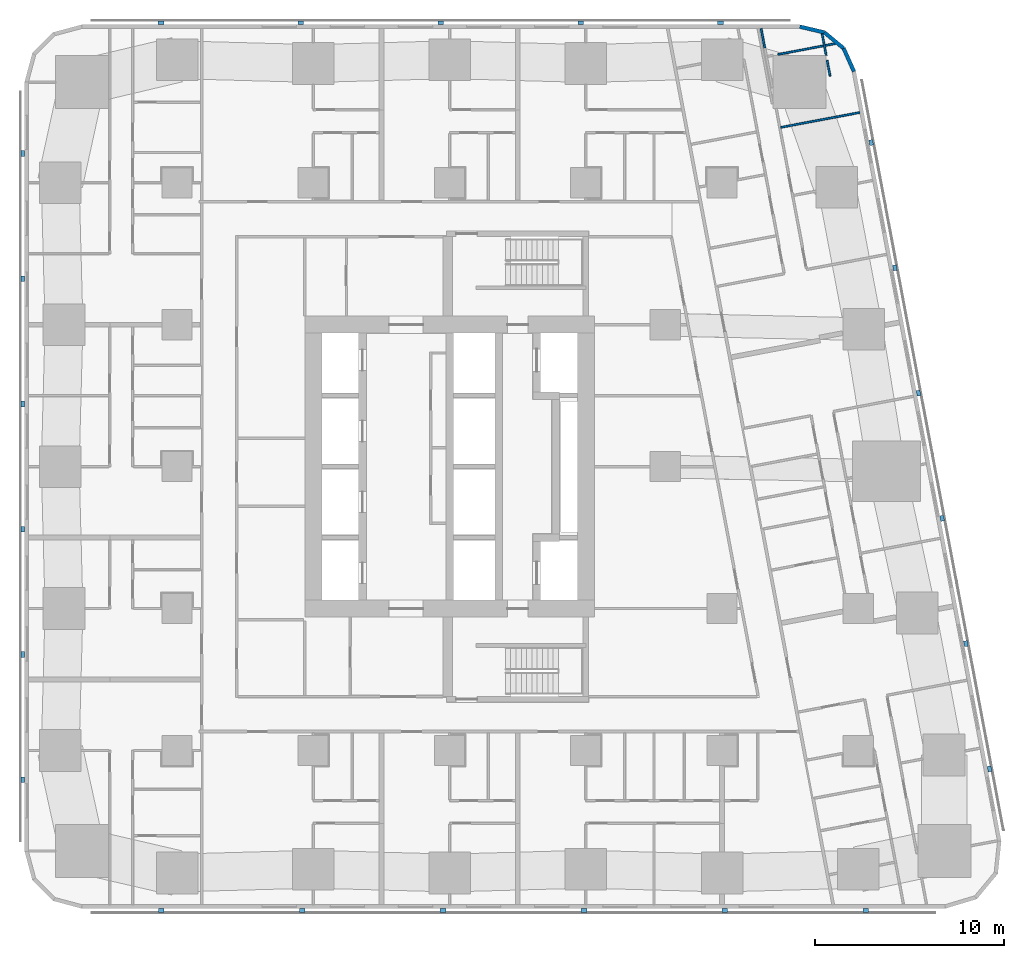
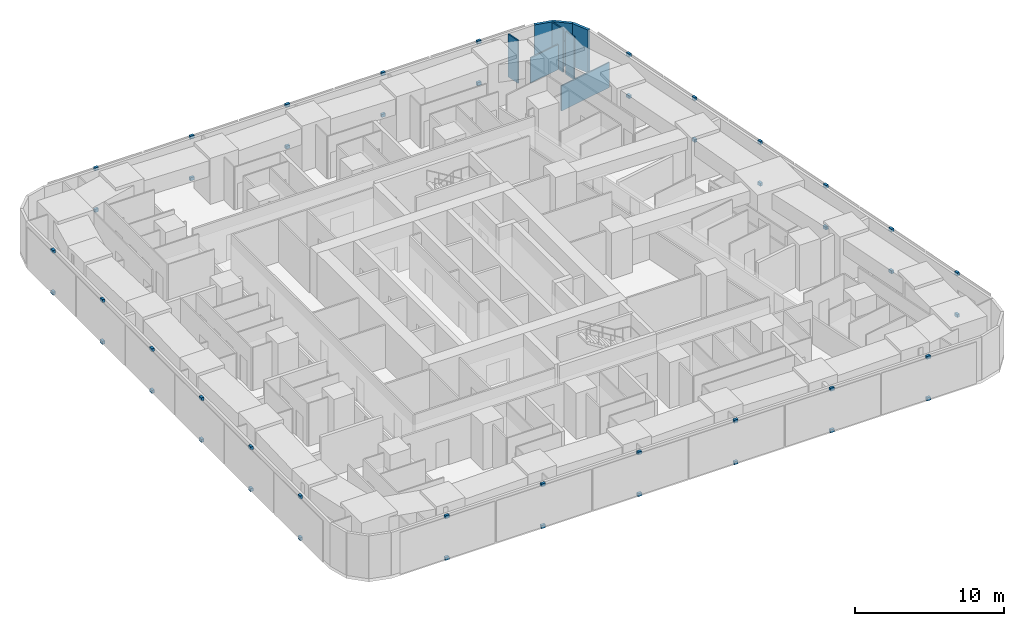
# One storey, part 12 of 16: 46 discrete accessories, 8 walls.
"""IFC4 building model written with IfcOpenShell, lengths in metres."""

from ifc_helpers import new_model, si_unit, direction, frame, frame_2d, origin, origin_2d, place, context, subcontext, project, spatial, rectangle, extrude, material, layer, layer_set, type_object, element, save


model = new_model("IFC4")

# Units and contexts
model_context = context("Model", 3, precision=1e-05, world=origin(), true_north=direction((0.0, 1.0)))
body_context = subcontext(model_context, "Body", "Model", "MODEL_VIEW")
ifc_project = project(units=[si_unit("LENGTHUNIT", "METRE"), si_unit("AREAUNIT", "SQUARE_METRE"), si_unit("VOLUMEUNIT", "CUBIC_METRE"), si_unit("PLANEANGLEUNIT", "RADIAN"), si_unit("MASSUNIT", "GRAM", prefix="KILO")], contexts=[model_context])

# Site, building, storey
site_placement = place(None, origin())
site = spatial("IfcSite", under=ifc_project, at=site_placement, CompositionType="ELEMENT")
building_placement = place(site_placement, origin())
building = spatial("IfcBuilding", under=site, at=building_placement, Name="Sheger Commons Tower", CompositionType="ELEMENT")
storey_placement = place(building_placement, frame((0.0, 0.0, 92.89990234375)))
storey = spatial("IfcBuildingStorey", under=building, at=storey_placement, Name="L23", CompositionType="ELEMENT", Elevation=92.89990234375)

# Walls
ifc_material_1 = material(Name="Rendered concrete block masonry, dark grey", Category="masonry")
ifc_layer_1 = layer(ifc_material_1, 0.199951171875)
ifc_layer_set_1 = layer_set([ifc_layer_1], Name="FACADE WALL 200")
wall_type_1 = type_object("IfcWallType", Name="FACADE WALL 200", PredefinedType="SOLIDWALL", material=ifc_layer_set_1)
wall_1_placement = place(storey_placement, frame((42.969970703125, 43.376953125, 0.0), z_axis=(0.0, 0.0, 1.0), x_axis=(-0.406002956633, 0.913871762998, 0.0)))
element("IfcWall", 1, at=wall_1_placement, inside=storey, type_object=wall_type_1, Name="Facade wall L23", PredefinedType="SOLIDWALL", context=body_context, shape_type="SweptSolid", body=[
    extrude(rectangle(XDim=1.33740234375, YDim=0.199951171875, at=frame_2d((0.668701171875, 0.0))), origin(), (0.0, 0.0, 1.0), 3.5),
])
wall_2_placement = place(storey_placement, frame((42.427001953125, 44.59912109375, 0.0), z_axis=(0.0, 0.0, 1.0), x_axis=(-0.770091412544, 0.637933551655, 0.0)))
element("IfcWall", 2, at=wall_2_placement, inside=storey, type_object=wall_type_1, Name="Facade wall L23", PredefinedType="SOLIDWALL", context=body_context, shape_type="SweptSolid", body=[
    extrude(rectangle(XDim=1.324462890625, YDim=0.199951171875, at=frame_2d((0.662109375, 0.0))), origin(), (0.0, 0.0, 1.0), 3.5),
])
wall_3_placement = place(storey_placement, frame((41.406982421875, 45.444091796875, 0.0), z_axis=(0.0, 0.0, 1.0), x_axis=(-0.973453091607, 0.228886606077, 0.0)))
element("IfcWall", 3, at=wall_3_placement, inside=storey, type_object=wall_type_1, Name="Facade wall L23", PredefinedType="SOLIDWALL", context=body_context, shape_type="SweptSolid", body=[
    extrude(rectangle(XDim=1.33642578125, YDim=0.199951171875, at=frame_2d((0.668212890625, 0.0))), origin(), (0.0, 0.0, 1.0), 3.5),
])
ifc_material_2 = material(Name="Gypsum board on steel studs", Category="steel")
ifc_layer_2 = layer(ifc_material_2, 0.10009765625)
ifc_layer_set_2 = layer_set([ifc_layer_2], Name="PARTITION 100")
wall_type_2 = type_object("IfcWallType", Name="PARTITION 100", PredefinedType="PARTITIONING", material=ifc_layer_set_2)
wall_4_placement = place(storey_placement, frame((41.287109375, 45.3701171875, 0.0), z_axis=(0.0, 0.0, 1.0), x_axis=(0.185121628323, -0.982715616405, 0.0)))
element("IfcWall", 4, at=wall_4_placement, inside=storey, type_object=wall_type_2, Name="Partition L23", PredefinedType="PARTITIONING", context=body_context, shape_type="SweptSolid", body=[
    extrude(rectangle(XDim=1.14990234375, YDim=0.10009765625, at=frame_2d((0.574951171875, 0.0))), origin(), (0.0, 0.0, 1.0), 3.5),
])
wall_5_placement = place(storey_placement, frame((41.551025390625, 43.968994140625, 0.0), z_axis=(0.0, 0.0, 1.0), x_axis=(0.185884171512, -0.982571663942, 0.0)))
element("IfcWall", 5, at=wall_5_placement, inside=storey, type_object=wall_type_2, Name="Partition L23", PredefinedType="PARTITIONING", context=body_context, shape_type="SweptSolid", body=[
    extrude(rectangle(XDim=0.849853515625, YDim=0.10009765625, at=frame_2d((0.4248046875, 0.0))), origin(), (0.0, 0.0, 1.0), 3.5),
])
wall_6_placement = place(storey_placement, frame((38.06298828125, 45.64990234375, 0.0), z_axis=(0.0, 0.0, 1.0), x_axis=(0.185677287841, -0.982610779902, 0.0)))
element("IfcWall", 6, at=wall_6_placement, inside=storey, type_object=wall_type_2, Name="Partition L23", PredefinedType="PARTITIONING", context=body_context, shape_type="SweptSolid", body=[
    extrude(rectangle(XDim=1.0400390625, YDim=0.10009765625, at=frame_2d((0.52001953125, 0.0))), origin(), (0.0, 0.0, 1.0), 3.5),
])
wall_7_placement = place(storey_placement, frame((41.968017578125, 44.85009765625, 0.0), z_axis=(0.0, 0.0, 1.0), x_axis=(-0.982566714195, -0.185910333644, 0.0)))
element("IfcWall", 7, at=wall_7_placement, inside=storey, type_object=wall_type_2, Name="Partition L23", PredefinedType="PARTITIONING", context=body_context, shape_type="SweptSolid", body=[
    extrude(rectangle(XDim=3.071533203125, YDim=0.10009765625, at=frame_2d((1.53564453125, 0.0))), origin(), (0.0, 0.0, 1.0), 2.050048828125),
])
wall_8_placement = place(storey_placement, frame((43.277099609375, 41.2119140625, 0.0), z_axis=(0.0, 0.0, 1.0), x_axis=(-0.982665405803, -0.185387972203, 0.0)))
element("IfcWall", 8, at=wall_8_placement, inside=storey, type_object=wall_type_2, Name="Partition L23", PredefinedType="PARTITIONING", context=body_context, shape_type="SweptSolid", body=[
    extrude(rectangle(XDim=4.249755859375, YDim=0.10009765625, at=frame_2d((2.125, 0.0))), origin(), (0.0, 0.0, 1.0), 2.050048828125),
])

# Discrete accessories
ifc_material_3 = material(Name="Black painted steel bracket", Category="steel")
discrete_accessory_type = type_object("IfcDiscreteAccessoryType", Name="SCREEN BRACKET 300x200x250", PredefinedType="BRACKET", material=ifc_material_3)
for number, where, z_axis, x_axis, name in (
    (9, (6.37109375, -0.949951171875, -0.099853515625), (0.0, 0.0, 1.0), (1.0, 0.0, 0.0), "Solar screen foot bracket"),
    (10, (6.37109375, -0.949951171875, 3.300048828125), (0.0, 0.0, 1.0), (1.0, 0.0, 0.0), "Solar screen head bracket"),
    (11, (13.81396484375, -0.949951171875, -0.099853515625), (0.0, 0.0, 1.0), (1.0, 0.0, 0.0), "Solar screen foot bracket"),
    (12, (13.81396484375, -0.949951171875, 3.300048828125), (0.0, 0.0, 1.0), (1.0, 0.0, 0.0), "Solar screen head bracket"),
    (13, (21.257080078125, -0.949951171875, -0.099853515625), (0.0, 0.0, 1.0), (1.0, 0.0, 0.0), "Solar screen foot bracket"),
    (14, (21.257080078125, -0.949951171875, 3.300048828125), (0.0, 0.0, 1.0), (1.0, 0.0, 0.0), "Solar screen head bracket"),
    (15, (28.698974609375, -0.949951171875, -0.099853515625), (0.0, 0.0, 1.0), (1.0, 0.0, 0.0), "Solar screen foot bracket"),
    (16, (28.698974609375, -0.949951171875, 3.300048828125), (0.0, 0.0, 1.0), (1.0, 0.0, 0.0), "Solar screen head bracket"),
    (17, (36.14208984375, -0.949951171875, -0.099853515625), (0.0, 0.0, 1.0), (1.0, 0.0, 0.0), "Solar screen foot bracket"),
    (18, (36.14208984375, -0.949951171875, 3.300048828125), (0.0, 0.0, 1.0), (1.0, 0.0, 0.0), "Solar screen head bracket"),
    (19, (43.5849609375, -0.949951171875, -0.099853515625), (0.0, 0.0, 1.0), (1.0, 0.0, 0.0), "Solar screen foot bracket"),
    (20, (43.5849609375, -0.949951171875, 3.300048828125), (0.0, 0.0, 1.0), (1.0, 0.0, 0.0), "Solar screen head bracket"),
    (21, (50.134033203125, 6.527099609375, -0.099853515625), (0.0, 0.0, 1.0), (-0.185615165645, 0.982622516678, 0.0), "Solar screen foot bracket"),
    (22, (50.134033203125, 6.527099609375, 3.300048828125), (0.0, 0.0, 1.0), (-0.185615165645, 0.982622516678, 0.0), "Solar screen head bracket"),
    (23, (48.884033203125, 13.14599609375, -0.099853515625), (0.0, 0.0, 1.0), (-0.185615165645, 0.982622516678, 0.0), "Solar screen foot bracket"),
    (24, (48.884033203125, 13.14599609375, 3.300048828125), (0.0, 0.0, 1.0), (-0.185615165645, 0.982622516678, 0.0), "Solar screen head bracket"),
    (25, (47.633056640625, 19.76611328125, -0.099853515625), (0.0, 0.0, 1.0), (-0.185615165645, 0.982622516678, 0.0), "Solar screen foot bracket"),
    (26, (47.633056640625, 19.76611328125, 3.300048828125), (0.0, 0.0, 1.0), (-0.185615165645, 0.982622516678, 0.0), "Solar screen head bracket"),
    (27, (46.383056640625, 26.385009765625, -0.099853515625), (0.0, 0.0, 1.0), (-0.185615165645, 0.982622516678, 0.0), "Solar screen foot bracket"),
    (28, (46.383056640625, 26.385009765625, 3.300048828125), (0.0, 0.0, 1.0), (-0.185615165645, 0.982622516678, 0.0), "Solar screen head bracket"),
    (29, (45.133056640625, 33.0048828125, -0.099853515625), (0.0, 0.0, 1.0), (-0.185615165645, 0.982622516678, 0.0), "Solar screen foot bracket"),
    (30, (45.133056640625, 33.0048828125, 3.300048828125), (0.0, 0.0, 1.0), (-0.185615165645, 0.982622516678, 0.0), "Solar screen head bracket"),
    (31, (43.882080078125, 39.6240234375, -0.099853515625), (0.0, 0.0, 1.0), (-0.185615165645, 0.982622516678, 0.0), "Solar screen foot bracket"),
    (32, (43.882080078125, 39.6240234375, 3.300048828125), (0.0, 0.0, 1.0), (-0.185615165645, 0.982622516678, 0.0), "Solar screen head bracket"),
    (33, (35.9208984375, 45.949951171875, -0.099853515625), (0.0, 0.0, 1.0), (-1.0, 0.0, 0.0), "Solar screen foot bracket"),
    (34, (35.9208984375, 45.949951171875, 3.300048828125), (0.0, 0.0, 1.0), (-1.0, 0.0, 0.0), "Solar screen head bracket"),
    (35, (28.528076171875, 45.949951171875, -0.099853515625), (0.0, 0.0, 1.0), (-1.0, 0.0, 0.0), "Solar screen foot bracket"),
    (36, (28.528076171875, 45.949951171875, 3.300048828125), (0.0, 0.0, 1.0), (-1.0, 0.0, 0.0), "Solar screen head bracket"),
    (37, (21.134033203125, 45.949951171875, -0.099853515625), (0.0, 0.0, 1.0), (-1.0, 0.0, 0.0), "Solar screen foot bracket"),
    (38, (21.134033203125, 45.949951171875, 3.300048828125), (0.0, 0.0, 1.0), (-1.0, 0.0, 0.0), "Solar screen head bracket"),
    (39, (13.739990234375, 45.949951171875, -0.099853515625), (0.0, 0.0, 1.0), (-1.0, 0.0, 0.0), "Solar screen foot bracket"),
    (40, (13.739990234375, 45.949951171875, 3.300048828125), (0.0, 0.0, 1.0), (-1.0, 0.0, 0.0), "Solar screen head bracket"),
    (41, (6.346923828125, 45.949951171875, -0.099853515625), (0.0, 0.0, 1.0), (-1.0, 0.0, 0.0), "Solar screen foot bracket"),
    (42, (6.346923828125, 45.949951171875, 3.300048828125), (0.0, 0.0, 1.0), (-1.0, 0.0, 0.0), "Solar screen head bracket"),
    (43, (-0.949951171875, 39.0419921875, -0.099853515625), (0.0, 0.0, 1.0), (0.0, -1.0, 0.0), "Solar screen foot bracket"),
    (44, (-0.949951171875, 39.0419921875, 3.300048828125), (0.0, 0.0, 1.0), (0.0, -1.0, 0.0), "Solar screen head bracket"),
    (45, (-0.949951171875, 32.425048828125, -0.099853515625), (0.0, 0.0, 1.0), (0.0, -1.0, 0.0), "Solar screen foot bracket"),
    (46, (-0.949951171875, 32.425048828125, 3.300048828125), (0.0, 0.0, 1.0), (0.0, -1.0, 0.0), "Solar screen head bracket"),
    (47, (-0.949951171875, 25.80810546875, -0.099853515625), (0.0, 0.0, 1.0), (0.0, -1.0, 0.0), "Solar screen foot bracket"),
    (48, (-0.949951171875, 25.80810546875, 3.300048828125), (0.0, 0.0, 1.0), (0.0, -1.0, 0.0), "Solar screen head bracket"),
    (49, (-0.949951171875, 19.19189453125, -0.099853515625), (0.0, 0.0, 1.0), (0.0, -1.0, 0.0), "Solar screen foot bracket"),
    (50, (-0.949951171875, 19.19189453125, 3.300048828125), (0.0, 0.0, 1.0), (0.0, -1.0, 0.0), "Solar screen head bracket"),
    (51, (-0.949951171875, 12.574951171875, -0.099853515625), (0.0, 0.0, 1.0), (0.0, -1.0, 0.0), "Solar screen foot bracket"),
    (52, (-0.949951171875, 12.574951171875, 3.300048828125), (0.0, 0.0, 1.0), (0.0, -1.0, 0.0), "Solar screen head bracket"),
    (53, (-0.949951171875, 5.9580078125, -0.099853515625), (0.0, 0.0, 1.0), (0.0, -1.0, 0.0), "Solar screen foot bracket"),
    (54, (-0.949951171875, 5.9580078125, 3.300048828125), (0.0, 0.0, 1.0), (0.0, -1.0, 0.0), "Solar screen head bracket"),
):
    element("IfcDiscreteAccessory", number, at=place(storey_placement, frame(where, z_axis=z_axis, x_axis=x_axis)), inside=storey, type_object=discrete_accessory_type, Name=name, PredefinedType="BRACKET", context=body_context, shape_type="SweptSolid", body=[
        extrude(rectangle(XDim=0.300048828125, YDim=0.199951171875, at=origin_2d()), origin(), (0.0, 0.0, 1.0), 0.25),
    ])

save(model, "model.ifc")
